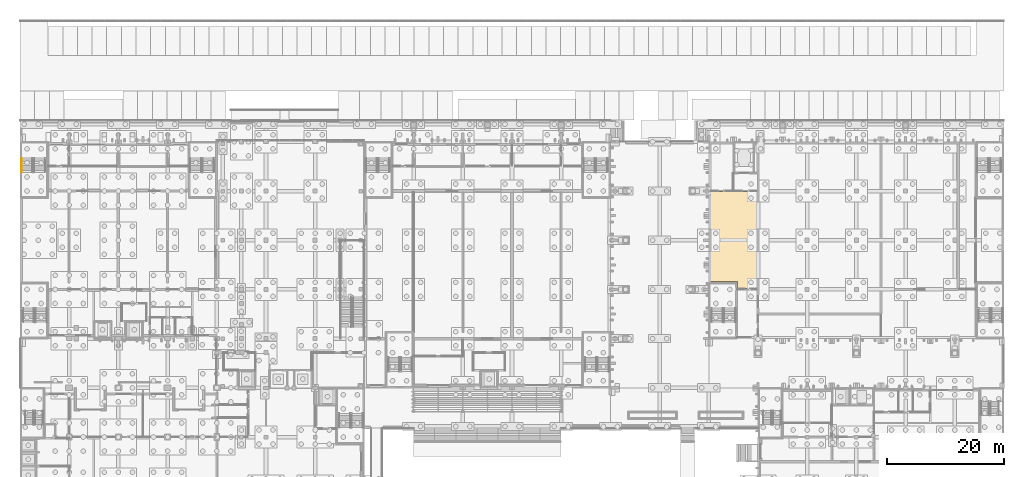
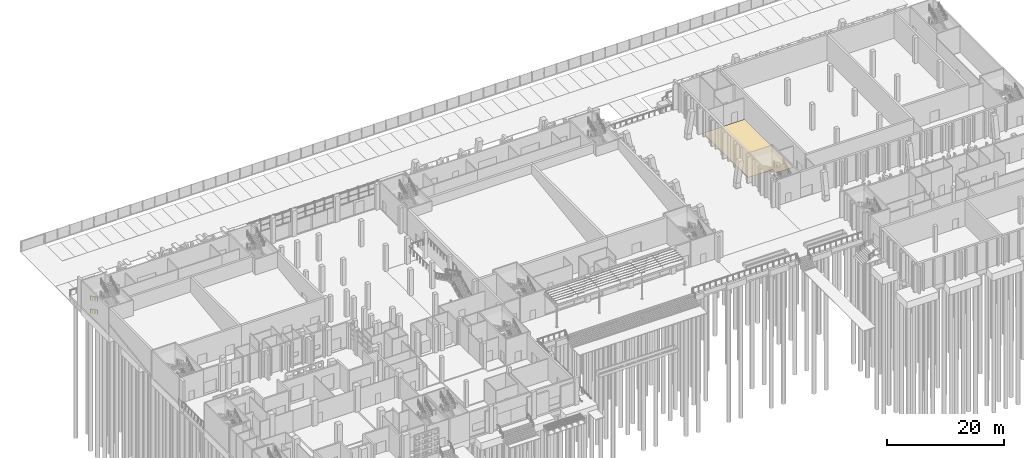
# One storey, part 114 of 129: 2 railings, 1 covering.
"""IFC4 building model written with IfcOpenShell, lengths in metres."""

from ifc_helpers import new_model, si_unit, direction, frame, origin, origin_2d, place, context, subcontext, project, spatial, polyline, circle, outline, extrude, material, layer, layer_set, type_object, element, save


model = new_model("IFC4")

# Units and contexts
model_context = context("Model", 3, precision=1e-05, world=origin(), true_north=direction((0.0, 1.0)))
body_context = subcontext(model_context, "Body", "Model", "MODEL_VIEW")
ifc_project = project(units=[si_unit("LENGTHUNIT", "METRE"), si_unit("AREAUNIT", "SQUARE_METRE"), si_unit("VOLUMEUNIT", "CUBIC_METRE"), si_unit("PLANEANGLEUNIT", "RADIAN"), si_unit("MASSUNIT", "GRAM", prefix="KILO")], contexts=[model_context])

# Site, building, storey
site_placement = place(None, origin())
site = spatial("IfcSite", under=ifc_project, at=site_placement, CompositionType="ELEMENT")
building_placement = place(site_placement, origin())
building = spatial("IfcBuilding", under=site, at=building_placement, Name="Kiln Court Media Centre", CompositionType="ELEMENT")
storey_placement = place(building_placement, origin())
storey = spatial("IfcBuildingStorey", under=building, at=storey_placement, Name="L00", CompositionType="ELEMENT", Elevation=0.0)

# Covering
ifc_material_1 = material(Name="Carpet tile")
ifc_layer = layer(ifc_material_1, 0.014892578125)
ifc_layer_set = layer_set([ifc_layer], Name="Carpet tile floor finish 15")
covering_type = type_object("IfcCoveringType", Name="Carpet tile floor finish 15", PredefinedType="FLOORING", material=ifc_layer_set)
covering_placement = place(storey_placement, origin())
element("IfcCovering", 1, at=covering_placement, inside=storey, type_object=covering_type, Name="Studio Circulation and Make-up floor finish", PredefinedType="FLOORING", context=body_context, shape_type="SweptSolid", body=[
    extrude(outline(polyline([(117.719970703125, 58.679931640625), (117.719970703125, 43.320068359375), (122.52001953125, 43.320068359375), (122.52001953125, 42.1201171875), (125.8798828125, 42.1201171875), (125.8798828125, 58.679931640625), (117.719970703125, 58.679931640625)])), origin(), (0.0, 0.0, 1.0), 0.014892578125),
])

# Railings
ifc_material_2 = material(Name="Steel S275", Category="steel")
railing_type = type_object("IfcRailingType", Name="Steel S275 stair handrail 900", PredefinedType="HANDRAIL", material=ifc_material_2)
railing_1_placement = place(storey_placement, frame((0.25, 64.39990234375, 0.14990234375)))
element("IfcRailing", 2, at=railing_1_placement, inside=storey, type_object=railing_type, Name="ST-07 stair handrail", PredefinedType="HANDRAIL", context=body_context, shape_type="SweptSolid", body=[
    extrude(circle(Radius=0.02392578125, at=origin_2d()), frame((0.0, 0.0, 0.8759765625), z_axis=(0.0, -0.894390793703, 0.44728638269), x_axis=(1.0, 0.0, 0.0)), (0.0, 0.0, 1.0), 2.683349609375),
    extrude(circle(Radius=0.02099609375, at=origin_2d()), origin(), (0.0, 0.0, 1.0), 0.851806640625),
    extrude(circle(Radius=0.02099609375, at=origin_2d()), frame((0.0, -0.800048828125, 0.400146484375)), (0.0, 0.0, 1.0), 0.851806640625),
    extrude(circle(Radius=0.02099609375, at=origin_2d()), frame((0.0, -1.599853515625, 0.800048828125)), (0.0, 0.0, 1.0), 0.851806640625),
    extrude(circle(Radius=0.02099609375, at=origin_2d()), frame((0.0, -2.39990234375, 1.2001953125)), (0.0, 0.0, 1.0), 0.851806640625),
])
railing_2_placement = place(storey_placement, frame((0.25, 64.39990234375, 2.85009765625)))
element("IfcRailing", 3, at=railing_2_placement, inside=storey, type_object=railing_type, Name="ST-07 stair handrail", PredefinedType="HANDRAIL", context=body_context, shape_type="SweptSolid", body=[
    extrude(circle(Radius=0.02392578125, at=origin_2d()), frame((0.0, 0.0, 0.8759765625), z_axis=(0.0, -0.894427191, 0.4472135955), x_axis=(1.0, 0.0, 0.0)), (0.0, 0.0, 1.0), 2.68310546875),
    extrude(circle(Radius=0.02099609375, at=origin_2d()), origin(), (0.0, 0.0, 1.0), 0.851806640625),
    extrude(circle(Radius=0.02099609375, at=origin_2d()), frame((0.0, -0.800048828125, 0.39990234375)), (0.0, 0.0, 1.0), 0.851806640625),
    extrude(circle(Radius=0.02099609375, at=origin_2d()), frame((0.0, -1.599853515625, 0.800048828125)), (0.0, 0.0, 1.0), 0.851806640625),
    extrude(circle(Radius=0.02099609375, at=origin_2d()), frame((0.0, -2.39990234375, 1.199951171875)), (0.0, 0.0, 1.0), 0.851806640625),
])

save(model, "model.ifc")
